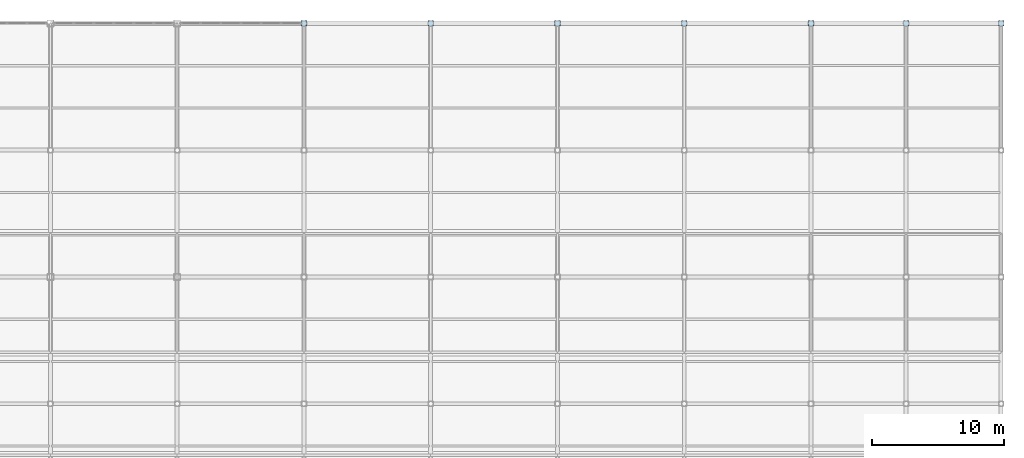
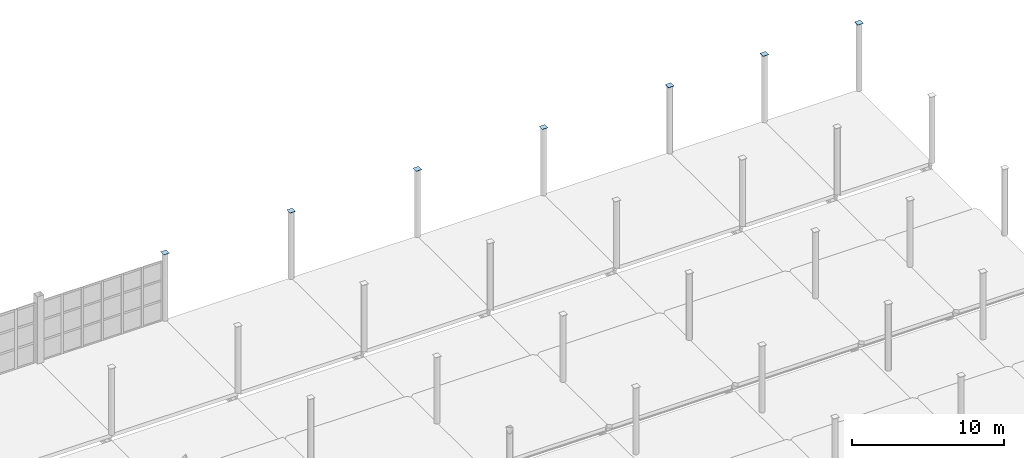
# One storey, part 64 of 85: 7 plates.
"""IFC4 building model written with IfcOpenShell, lengths in metres."""

from ifc_helpers import new_model, si_unit, direction, frame, origin, origin_2d, place, context, subcontext, project, spatial, rectangle, extrude, material, layer, layer_set, type_object, element, save


model = new_model("IFC4")

# Units and contexts
model_context = context("Model", 3, precision=1e-05, world=origin(), true_north=direction((0.0, 1.0)))
body_context = subcontext(model_context, "Body", "Model", "MODEL_VIEW")
ifc_project = project(units=[si_unit("LENGTHUNIT", "METRE"), si_unit("AREAUNIT", "SQUARE_METRE"), si_unit("VOLUMEUNIT", "CUBIC_METRE"), si_unit("PLANEANGLEUNIT", "RADIAN"), si_unit("MASSUNIT", "GRAM", prefix="KILO")], contexts=[model_context])

# Site, building, storey
site_placement = place(None, origin())
site = spatial("IfcSite", under=ifc_project, at=site_placement, CompositionType="ELEMENT")
building_placement = place(site_placement, origin())
building = spatial("IfcBuilding", under=site, at=building_placement, Name="Zarnetskaya Central Station", CompositionType="ELEMENT")
storey_placement = place(building_placement, origin())
storey = spatial("IfcBuildingStorey", under=building, at=storey_placement, Name="L00", CompositionType="ELEMENT", Elevation=0.0)

# Plates
ifc_material = material(Name="Steel S355", Category="steel")
ifc_layer = layer(ifc_material, 0.02392578125, Name="Steel S355", Category="steel")
ifc_layer_set = layer_set([ifc_layer], Name="Steel S355")
plate_type = type_object("IfcPlateType", Name="PL-COL-CAP-EXT", PredefinedType="USERDEFINED", material=ifc_layer_set)
for number, where, z_axis, x_axis, name in (
    (1, (134.39990234375, 124.800048828125, 5.3759765625), (0.0, 0.0, 1.0), (1.0, 0.0, 0.0), "Hollow column sealed end-cap plate 124"),
    (2, (144.0, 124.800048828125, 5.3759765625), (0.0, 0.0, 1.0), (1.0, 0.0, 0.0), "Hollow column sealed end-cap plate 131"),
    (3, (153.60009765625, 124.800048828125, 5.3759765625), (0.0, 0.0, 1.0), (1.0, 0.0, 0.0), "Hollow column sealed end-cap plate 138"),
    (4, (163.199951171875, 124.800048828125, 5.3759765625), (0.0, 0.0, 1.0), (1.0, 0.0, 0.0), "Hollow column sealed end-cap plate 145"),
    (5, (172.800048828125, 124.800048828125, 5.3759765625), (0.0, 0.0, 1.0), (1.0, 0.0, 0.0), "Hollow column sealed end-cap plate 152"),
    (6, (180.0, 124.800048828125, 5.3759765625), (0.0, 0.0, 1.0), (1.0, 0.0, 0.0), "Hollow column sealed end-cap plate 159"),
    (7, (187.199951171875, 124.800048828125, 5.3759765625), (0.0, 0.0, 1.0), (1.0, 0.0, 0.0), "Hollow column sealed end-cap plate 166"),
):
    element("IfcPlate", number, at=place(storey_placement, frame(where, z_axis=z_axis, x_axis=x_axis)), inside=storey, type_object=plate_type, Name=name, ObjectType="END CAP PLATE", PredefinedType="USERDEFINED", context=body_context, shape_type="SweptSolid", body=[
        extrude(rectangle(XDim=0.426513671875, YDim=0.426513671875, at=origin_2d()), origin(), (0.0, 0.0, 1.0), 0.02392578125),
    ])

save(model, "model.ifc")
